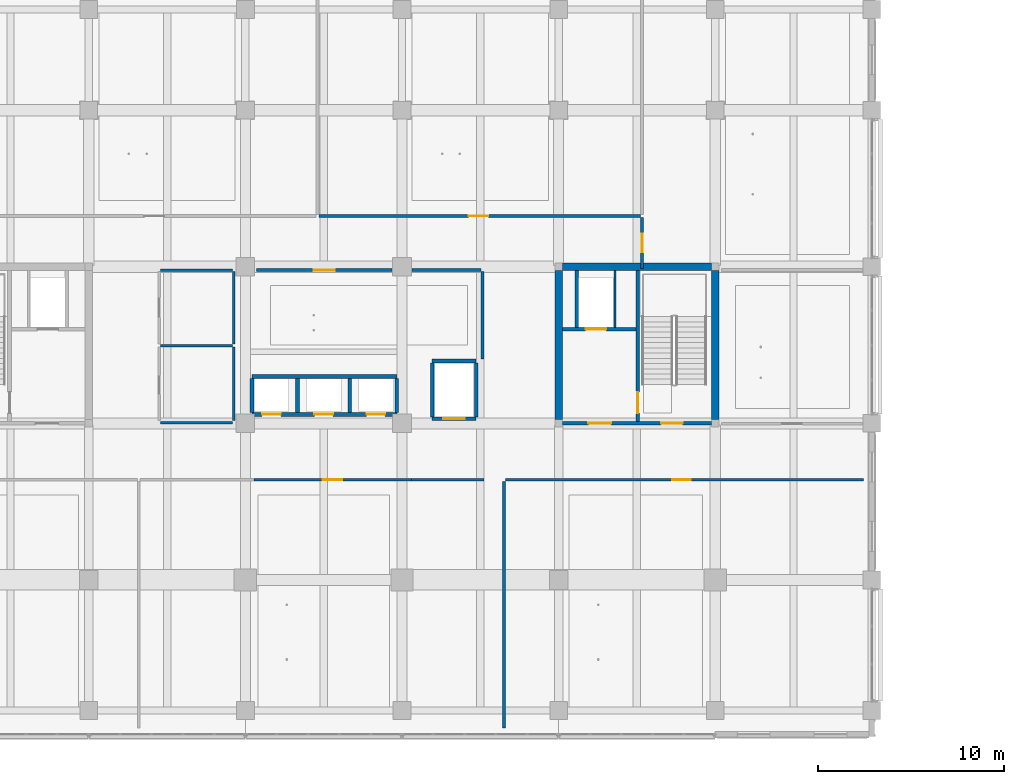
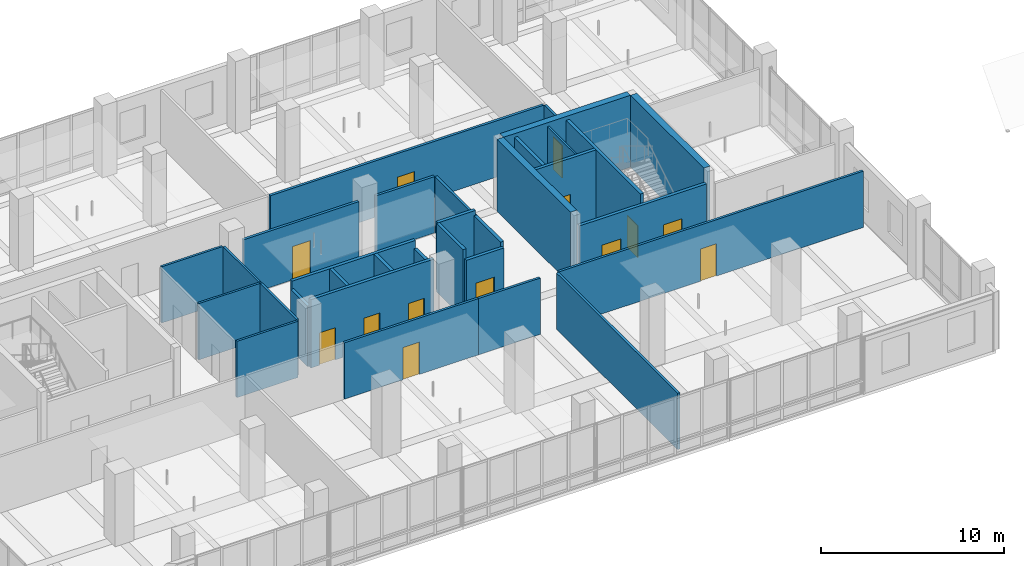
# One storey, part 56 of 122: 32 walls, 13 doors, 13 openings.
"""IFC4 building model written with IfcOpenShell, lengths in metres."""

from ifc_helpers import new_model, si_unit, direction, frame, frame_2d, origin, place, context, subcontext, project, spatial, rectangle, extrude, material, layer, layer_set, type_object, element, fill, save


model = new_model("IFC4")

# Units and contexts
model_context = context("Model", 3, precision=1e-05, world=origin(), true_north=direction((0.0, 1.0)))
body_context = subcontext(model_context, "Body", "Model", "MODEL_VIEW")
ifc_project = project(units=[si_unit("LENGTHUNIT", "METRE"), si_unit("AREAUNIT", "SQUARE_METRE"), si_unit("VOLUMEUNIT", "CUBIC_METRE"), si_unit("PLANEANGLEUNIT", "RADIAN"), si_unit("MASSUNIT", "GRAM", prefix="KILO")], contexts=[model_context])

# Site, building, storey
site_placement = place(None, origin())
site = spatial("IfcSite", under=ifc_project, at=site_placement, CompositionType="ELEMENT")
building_placement = place(site_placement, origin())
building = spatial("IfcBuilding", under=site, at=building_placement, Name="Telukmera Botanical Conservatory", CompositionType="ELEMENT")
storey_placement = place(building_placement, frame((0.0, 0.0, 10.199951171875)))
storey = spatial("IfcBuildingStorey", under=building, at=storey_placement, Name="L02", CompositionType="ELEMENT", Elevation=10.199951171875)

# Wall, openings, doors
ifc_material_1 = material(Name="Concrete C40/50", Category="concrete")
ifc_layer_1 = layer(ifc_material_1, 0.199951171875)
ifc_layer_set_1 = layer_set([ifc_layer_1], Name="Concrete C40/50")
wall_type_1 = type_object("IfcWallType", Name="WT-CORE-200", PredefinedType="SOLIDWALL", material=ifc_layer_set_1)
wall_1_placement = place(storey_placement, frame((92.60009765625, 26.0, 0.0), z_axis=(0.0, 0.0, 1.0), x_axis=(1.0, 0.0, 0.0)))
wall_1 = element("IfcWall", 1, at=wall_1_placement, inside=storey, type_object=wall_type_1, Name="L02 Core C2 South Fire Wall", PredefinedType="SOLIDWALL", context=body_context, shape_type="SweptSolid", body=[
    extrude(rectangle(XDim=8.0, YDim=0.199951171875, at=frame_2d((4.0, 0.0))), origin(), (0.0, 0.0, 1.0), 3.929931640625),
])
opening_1_placement = place(wall_1_placement, frame((1.39990234375, 0.0, 0.0)))
opening_1 = element("IfcOpeningElement", 2, at=opening_1_placement, cuts=wall_1, Name="Opening FD60C", PredefinedType="OPENING", context=body_context, shape_type="SweptSolid", body=[
    extrude(rectangle(XDim=1.219970703125, YDim=2.14990234375, at=frame_2d((0.60986328125, 1.074951171875))), frame((0.0, 0.10986328125, 0.0), z_axis=(0.0, -1.0, 0.0), x_axis=(1.0, 0.0, 0.0)), (0.0, 0.0, 1.0), 0.219970703125),
])
opening_2_placement = place(wall_1_placement, frame((5.300048828125, 0.0, 0.0)))
opening_2 = element("IfcOpeningElement", 3, at=opening_2_placement, cuts=wall_1, Name="Opening FD60A", PredefinedType="OPENING", context=body_context, shape_type="SweptSolid", body=[
    extrude(rectangle(XDim=1.14990234375, YDim=2.14990234375, at=frame_2d((0.574951171875, 1.074951171875))), frame((0.0, 0.10986328125, 0.0), z_axis=(0.0, -1.0, 0.0), x_axis=(1.0, 0.0, 0.0)), (0.0, 0.0, 1.0), 0.219970703125),
])
ifc_material_2 = material(Name="Hardwood fire door", Category="wood")
door_type_1 = type_object("IfcDoorType", Name="DT-FD60-01", OperationType="NOTDEFINED", PredefinedType="DOOR", material=ifc_material_2)
door_1_placement = place(opening_2_placement, origin())
door_1 = element("IfcDoor", 4, at=door_1_placement, inside=storey, type_object=door_type_1, Name="L02 Stair ST2 Escape Door", OperationType="SINGLE_SWING_RIGHT", OverallHeight=2.14990234375, OverallWidth=1.14990234375, PredefinedType="DOOR", context=body_context, shape_type="SweptSolid", body=[
    extrude(rectangle(XDim=1.14990234375, YDim=2.14990234375, at=frame_2d((0.574951171875, 1.074951171875))), frame((0.0, 0.02490234375, 0.0), z_axis=(0.0, -1.0, 0.0), x_axis=(1.0, 0.0, 0.0)), (0.0, 0.0, 1.0), 0.050048828125),
])
fill(opening_2, door_1)
door_type_2 = type_object("IfcDoorType", Name="DT-FD60-03", OperationType="NOTDEFINED", PredefinedType="DOOR", material=ifc_material_2)
door_2_placement = place(opening_1_placement, origin())
door_2 = element("IfcDoor", 5, at=door_2_placement, inside=storey, type_object=door_type_2, Name="L02 Firefighting Lobby C2 Door", OperationType="SINGLE_SWING_LEFT", OverallHeight=2.14990234375, OverallWidth=1.219970703125, PredefinedType="DOOR", context=body_context, shape_type="SweptSolid", body=[
    extrude(rectangle(XDim=1.219970703125, YDim=2.14990234375, at=frame_2d((0.60986328125, 1.074951171875))), frame((0.0, 0.02490234375, 0.0), z_axis=(0.0, -1.0, 0.0), x_axis=(1.0, 0.0, 0.0)), (0.0, 0.0, 1.0), 0.050048828125),
])
fill(opening_1, door_2)

# Wall, opening, door
wall_2_placement = place(storey_placement, frame((96.64990234375, 26.10009765625, 0.0), z_axis=(0.0, 0.0, 1.0), x_axis=(0.0, 1.0, 0.0)))
wall_2 = element("IfcWall", 6, at=wall_2_placement, inside=storey, type_object=wall_type_1, Name="L02 Core C2 Stair-Lobby Wall", PredefinedType="SOLIDWALL", context=body_context, shape_type="SweptSolid", body=[
    extrude(rectangle(XDim=8.099853515625, YDim=0.199951171875, at=frame_2d((4.0498046875, 0.0))), origin(), (0.0, 0.0, 1.0), 4.550048828125),
])
opening_3_placement = place(wall_2_placement, frame((0.449951171875, 0.0, 0.0)))
opening_3 = element("IfcOpeningElement", 7, at=opening_3_placement, cuts=wall_2, Name="Opening FD60B", PredefinedType="OPENING", context=body_context, shape_type="SweptSolid", body=[
    extrude(rectangle(XDim=1.1201171875, YDim=2.14990234375, at=frame_2d((0.56005859375, 1.074951171875))), frame((0.0, 0.10986328125, 0.0), z_axis=(0.0, -1.0, 0.0), x_axis=(1.0, 0.0, 0.0)), (0.0, 0.0, 1.0), 0.219970703125),
])
door_type_3 = type_object("IfcDoorType", Name="DT-FD60-02", OperationType="NOTDEFINED", PredefinedType="DOOR", material=ifc_material_2)
door_3_placement = place(opening_3_placement, frame((1.1201171875, 0.0, 0.0), z_axis=(0.0, 0.0, 1.0), x_axis=(-1.0, 0.0, 0.0)))
door_3 = element("IfcDoor", 8, at=door_3_placement, inside=storey, type_object=door_type_3, Name="L02 Firefighting Lobby C2 to ST2 Door", OperationType="SINGLE_SWING_LEFT", OverallHeight=2.14990234375, OverallWidth=1.1201171875, PredefinedType="DOOR", context=body_context, shape_type="SweptSolid", body=[
    extrude(rectangle(XDim=1.1201171875, YDim=2.14990234375, at=frame_2d((0.56005859375, 1.074951171875))), frame((0.0, 0.02490234375, 0.0), z_axis=(0.0, -1.0, 0.0), x_axis=(1.0, 0.0, 0.0)), (0.0, 0.0, 1.0), 0.050048828125),
])
fill(opening_3, door_3)

wall_3_placement = place(storey_placement, frame((92.60009765625, 31.050048828125, 0.0), z_axis=(0.0, 0.0, 1.0), x_axis=(1.0, 0.0, 0.0)))
wall_3 = element("IfcWall", 9, at=wall_3_placement, inside=storey, type_object=wall_type_1, Name="L02 Fire Lift FL2 Shaft Front Wall", PredefinedType="SOLIDWALL", context=body_context, shape_type="SweptSolid", body=[
    extrude(rectangle(XDim=3.949951171875, YDim=0.199951171875, at=frame_2d((1.97509765625, 0.0))), origin(), (0.0, 0.0, 1.0), 4.550048828125),
])
opening_4_placement = place(wall_3_placement, frame((1.25, 0.0, 0.0)))
opening_4 = element("IfcOpeningElement", 10, at=opening_4_placement, cuts=wall_3, Name="Opening LD01", PredefinedType="OPENING", context=body_context, shape_type="SweptSolid", body=[
    extrude(rectangle(XDim=1.10009765625, YDim=2.14990234375, at=frame_2d((0.550048828125, 1.074951171875))), frame((0.0, 0.10986328125, 0.0), z_axis=(0.0, -1.0, 0.0), x_axis=(1.0, 0.0, 0.0)), (0.0, 0.0, 1.0), 0.219970703125),
])
ifc_material_3 = material(Name="Stainless steel 316", Category="steel")
door_type_4 = type_object("IfcDoorType", Name="DT-LD01", OperationType="SLIDING_TO_LEFT", PredefinedType="DOOR", material=ifc_material_3)
door_4_placement = place(opening_4_placement, frame((1.10009765625, 0.0, 0.0), z_axis=(0.0, 0.0, 1.0), x_axis=(-1.0, 0.0, 0.0)))
door_4 = element("IfcDoor", 11, at=door_4_placement, inside=storey, type_object=door_type_4, Name="L02 Lift Landing Door FL2", OperationType="SLIDING_TO_LEFT", OverallHeight=2.14990234375, OverallWidth=1.10009765625, PredefinedType="DOOR", context=body_context, shape_type="SweptSolid", body=[
    extrude(rectangle(XDim=1.10009765625, YDim=2.14990234375, at=frame_2d((0.550048828125, 1.074951171875))), frame((0.0, 0.02490234375, 0.0), z_axis=(0.0, -1.0, 0.0), x_axis=(1.0, 0.0, 0.0)), (0.0, 0.0, 1.0), 0.050048828125),
])
fill(opening_4, door_4)

# Wall
wall_4_placement = place(storey_placement, frame((93.3798828125, 31.14990234375, 0.0), z_axis=(0.0, 0.0, 1.0), x_axis=(0.0, 1.0, 0.0)))
element("IfcWall", 12, at=wall_4_placement, inside=storey, type_object=wall_type_1, Name="L02 Fire Lift FL2 Shaft West Wall", PredefinedType="SOLIDWALL", context=body_context, shape_type="SweptSolid", body=[
    extrude(rectangle(XDim=3.050048828125, YDim=0.199951171875, at=frame_2d((1.52490234375, 0.0))), origin(), (0.0, 0.0, 1.0), 4.550048828125),
])

# Wall, openings, doors
wall_5_placement = place(storey_placement, frame((75.949951171875, 26.47998046875, 0.0), z_axis=(0.0, 0.0, 1.0), x_axis=(1.0, 0.0, 0.0)))
wall_5 = element("IfcWall", 13, at=wall_5_placement, inside=storey, type_object=wall_type_1, Name="L02 Passenger Lift Bank Front Wall", PredefinedType="SOLIDWALL", context=body_context, shape_type="SweptSolid", body=[
    extrude(rectangle(XDim=7.77001953125, YDim=0.199951171875, at=frame_2d((3.885009765625, 0.0))), origin(), (0.0, 0.0, 1.0), 4.550048828125),
])
opening_5_placement = place(wall_5_placement, frame((0.550048828125, 0.0, 0.0)))
opening_5 = element("IfcOpeningElement", 14, at=opening_5_placement, cuts=wall_5, Name="Opening LD03", PredefinedType="OPENING", context=body_context, shape_type="SweptSolid", body=[
    extrude(rectangle(XDim=1.0, YDim=2.14990234375, at=frame_2d((0.5, 1.074951171875))), frame((0.0, 0.10986328125, 0.0), z_axis=(0.0, -1.0, 0.0), x_axis=(1.0, 0.0, 0.0)), (0.0, 0.0, 1.0), 0.219970703125),
])
opening_6_placement = place(wall_5_placement, frame((3.35009765625, 0.0, 0.0)))
opening_6 = element("IfcOpeningElement", 15, at=opening_6_placement, cuts=wall_5, Name="Opening LD03", PredefinedType="OPENING", context=body_context, shape_type="SweptSolid", body=[
    extrude(rectangle(XDim=1.0, YDim=2.14990234375, at=frame_2d((0.5, 1.074951171875))), frame((0.0, 0.10986328125, 0.0), z_axis=(0.0, -1.0, 0.0), x_axis=(1.0, 0.0, 0.0)), (0.0, 0.0, 1.0), 0.219970703125),
])
opening_7_placement = place(wall_5_placement, frame((6.14990234375, 0.0, 0.0)))
opening_7 = element("IfcOpeningElement", 16, at=opening_7_placement, cuts=wall_5, Name="Opening LD03", PredefinedType="OPENING", context=body_context, shape_type="SweptSolid", body=[
    extrude(rectangle(XDim=1.0, YDim=2.14990234375, at=frame_2d((0.5, 1.074951171875))), frame((0.0, 0.10986328125, 0.0), z_axis=(0.0, -1.0, 0.0), x_axis=(1.0, 0.0, 0.0)), (0.0, 0.0, 1.0), 0.219970703125),
])
door_type_5 = type_object("IfcDoorType", Name="DT-LD03", OperationType="SLIDING_TO_LEFT", PredefinedType="DOOR", material=ifc_material_3)
door_5_placement = place(opening_5_placement, frame((1.0, 0.0, 0.0), z_axis=(0.0, 0.0, 1.0), x_axis=(-1.0, 0.0, 0.0)))
door_5 = element("IfcDoor", 17, at=door_5_placement, inside=storey, type_object=door_type_5, Name="L02 Lift Landing Door PL1", OperationType="SLIDING_TO_LEFT", OverallHeight=2.14990234375, OverallWidth=1.0, PredefinedType="DOOR", context=body_context, shape_type="SweptSolid", body=[
    extrude(rectangle(XDim=1.0, YDim=2.14990234375, at=frame_2d((0.5, 1.074951171875))), frame((0.0, 0.02490234375, 0.0), z_axis=(0.0, -1.0, 0.0), x_axis=(1.0, 0.0, 0.0)), (0.0, 0.0, 1.0), 0.050048828125),
])
fill(opening_5, door_5)
door_6_placement = place(opening_6_placement, frame((1.0, 0.0, 0.0), z_axis=(0.0, 0.0, 1.0), x_axis=(-1.0, 0.0, 0.0)))
door_6 = element("IfcDoor", 18, at=door_6_placement, inside=storey, type_object=door_type_5, Name="L02 Lift Landing Door PL2", OperationType="SLIDING_TO_LEFT", OverallHeight=2.14990234375, OverallWidth=1.0, PredefinedType="DOOR", context=body_context, shape_type="SweptSolid", body=[
    extrude(rectangle(XDim=1.0, YDim=2.14990234375, at=frame_2d((0.5, 1.074951171875))), frame((0.0, 0.02490234375, 0.0), z_axis=(0.0, -1.0, 0.0), x_axis=(1.0, 0.0, 0.0)), (0.0, 0.0, 1.0), 0.050048828125),
])
fill(opening_6, door_6)
door_7_placement = place(opening_7_placement, frame((1.0, 0.0, 0.0), z_axis=(0.0, 0.0, 1.0), x_axis=(-1.0, 0.0, 0.0)))
door_7 = element("IfcDoor", 19, at=door_7_placement, inside=storey, type_object=door_type_5, Name="L02 Lift Landing Door PL3", OperationType="SLIDING_TO_LEFT", OverallHeight=2.14990234375, OverallWidth=1.0, PredefinedType="DOOR", context=body_context, shape_type="SweptSolid", body=[
    extrude(rectangle(XDim=1.0, YDim=2.14990234375, at=frame_2d((0.5, 1.074951171875))), frame((0.0, 0.02490234375, 0.0), z_axis=(0.0, -1.0, 0.0), x_axis=(1.0, 0.0, 0.0)), (0.0, 0.0, 1.0), 0.050048828125),
])
fill(opening_7, door_7)

# Walls
wall_6_placement = place(storey_placement, frame((75.949951171875, 28.52001953125, 0.0), z_axis=(0.0, 0.0, 1.0), x_axis=(1.0, 0.0, 0.0)))
element("IfcWall", 20, at=wall_6_placement, inside=storey, type_object=wall_type_1, Name="L02 Passenger Lift Bank Rear Wall", PredefinedType="SOLIDWALL", context=body_context, shape_type="SweptSolid", body=[
    extrude(rectangle(XDim=7.77001953125, YDim=0.199951171875, at=frame_2d((3.885009765625, 0.0))), origin(), (0.0, 0.0, 1.0), 4.550048828125),
])
wall_7_placement = place(storey_placement, frame((75.949951171875, 26.580078125, 0.0), z_axis=(0.0, 0.0, 1.0), x_axis=(0.0, 1.0, 0.0)))
element("IfcWall", 21, at=wall_7_placement, inside=storey, type_object=wall_type_1, Name="L02 Passenger Lift Shaft Wall 1", PredefinedType="SOLIDWALL", context=body_context, shape_type="SweptSolid", body=[
    extrude(rectangle(XDim=1.83984375, YDim=0.199951171875, at=frame_2d((0.919921875, 0.0))), origin(), (0.0, 0.0, 1.0), 4.030029296875),
])
for number, where, z_axis, x_axis, name in (
    (22, (78.39990234375, 26.580078125, 0.0), (0.0, 0.0, 1.0), (0.0, 1.0, 0.0), "L02 Passenger Lift Shaft Wall 2"),
    (23, (81.199951171875, 26.580078125, 0.0), (0.0, 0.0, 1.0), (0.0, 1.0, 0.0), "L02 Passenger Lift Shaft Wall 3"),
):
    element("IfcWall", number, at=place(storey_placement, frame(where, z_axis=z_axis, x_axis=x_axis)), inside=storey, type_object=wall_type_1, Name=name, PredefinedType="SOLIDWALL", context=body_context, shape_type="SweptSolid", body=[
        extrude(rectangle(XDim=1.83984375, YDim=0.199951171875, at=frame_2d((0.919921875, 0.0))), origin(), (0.0, 0.0, 1.0), 4.550048828125),
    ])
wall_8_placement = place(storey_placement, frame((83.719970703125, 26.580078125, 0.0), z_axis=(0.0, 0.0, 1.0), x_axis=(0.0, 1.0, 0.0)))
element("IfcWall", 24, at=wall_8_placement, inside=storey, type_object=wall_type_1, Name="L02 Passenger Lift Shaft Wall 4", PredefinedType="SOLIDWALL", context=body_context, shape_type="SweptSolid", body=[
    extrude(rectangle(XDim=1.83984375, YDim=0.199951171875, at=frame_2d((0.919921875, 0.0))), origin(), (0.0, 0.0, 1.0), 4.030029296875),
])

# Wall, opening, door
wall_9_placement = place(storey_placement, frame((85.6201171875, 26.25, 0.0), z_axis=(0.0, 0.0, 1.0), x_axis=(1.0, 0.0, 0.0)))
wall_9 = element("IfcWall", 25, at=wall_9_placement, inside=storey, type_object=wall_type_1, Name="L02 Goods Lift GL1 Front Wall", PredefinedType="SOLIDWALL", context=body_context, shape_type="SweptSolid", body=[
    extrude(rectangle(XDim=2.35986328125, YDim=0.199951171875, at=frame_2d((1.179931640625, 0.0))), origin(), (0.0, 0.0, 1.0), 3.929931640625),
])
opening_8_placement = place(wall_9_placement, frame((0.60498046875, 0.0, 0.0)))
opening_8 = element("IfcOpeningElement", 26, at=opening_8_placement, cuts=wall_9, Name="Opening LD02", PredefinedType="OPENING", context=body_context, shape_type="SweptSolid", body=[
    extrude(rectangle(XDim=1.14990234375, YDim=2.199951171875, at=frame_2d((0.574951171875, 1.10009765625))), frame((0.0, 0.10986328125, 0.0), z_axis=(0.0, -1.0, 0.0), x_axis=(1.0, 0.0, 0.0)), (0.0, 0.0, 1.0), 0.219970703125),
])
door_type_6 = type_object("IfcDoorType", Name="DT-LD02", OperationType="SLIDING_TO_LEFT", PredefinedType="DOOR", material=ifc_material_3)
door_8_placement = place(opening_8_placement, frame((1.14990234375, 0.0, 0.0), z_axis=(0.0, 0.0, 1.0), x_axis=(-1.0, 0.0, 0.0)))
door_8 = element("IfcDoor", 27, at=door_8_placement, inside=storey, type_object=door_type_6, Name="L02 Lift Landing Door GL1", OperationType="SLIDING_TO_LEFT", OverallHeight=2.199951171875, OverallWidth=1.14990234375, PredefinedType="DOOR", context=body_context, shape_type="SweptSolid", body=[
    extrude(rectangle(XDim=1.14990234375, YDim=2.199951171875, at=frame_2d((0.574951171875, 1.10009765625))), frame((0.0, 0.02490234375, 0.0), z_axis=(0.0, -1.0, 0.0), x_axis=(1.0, 0.0, 0.0)), (0.0, 0.0, 1.0), 0.050048828125),
])
fill(opening_8, door_8)

# Walls
wall_10_placement = place(storey_placement, frame((85.6201171875, 29.35009765625, 0.0), z_axis=(0.0, 0.0, 1.0), x_axis=(1.0, 0.0, 0.0)))
element("IfcWall", 28, at=wall_10_placement, inside=storey, type_object=wall_type_1, Name="L02 Goods Lift GL1 Rear Wall", PredefinedType="SOLIDWALL", context=body_context, shape_type="SweptSolid", body=[
    extrude(rectangle(XDim=2.35986328125, YDim=0.199951171875, at=frame_2d((1.179931640625, 0.0))), origin(), (0.0, 0.0, 1.0), 4.550048828125),
])
wall_11_placement = place(storey_placement, frame((85.6201171875, 26.35009765625, 0.0), z_axis=(0.0, 0.0, 1.0), x_axis=(0.0, 1.0, 0.0)))
element("IfcWall", 29, at=wall_11_placement, inside=storey, type_object=wall_type_1, Name="L02 Goods Lift GL1 Side Wall 1", PredefinedType="SOLIDWALL", context=body_context, shape_type="SweptSolid", body=[
    extrude(rectangle(XDim=2.89990234375, YDim=0.199951171875, at=frame_2d((1.449951171875, 0.0))), origin(), (0.0, 0.0, 1.0), 4.550048828125),
])
wall_12_placement = place(storey_placement, frame((87.97998046875, 26.35009765625, 0.0), z_axis=(0.0, 0.0, 1.0), x_axis=(0.0, 1.0, 0.0)))
element("IfcWall", 30, at=wall_12_placement, inside=storey, type_object=wall_type_1, Name="L02 Goods Lift GL1 Side Wall 2", PredefinedType="SOLIDWALL", context=body_context, shape_type="SweptSolid", body=[
    extrude(rectangle(XDim=2.89990234375, YDim=0.199951171875, at=frame_2d((1.449951171875, 0.0))), origin(), (0.0, 0.0, 1.0), 4.22998046875),
])
ifc_material_4 = material(Name="Gypsum acoustic stud partition")
ifc_layer_2 = layer(ifc_material_4, 0.159912109375)
ifc_layer_set_2 = layer_set([ifc_layer_2], Name="Gypsum acoustic stud partition")
wall_type_2 = type_object("IfcWallType", Name="WT-LAB-160", PredefinedType="PARTITIONING", material=ifc_layer_set_2)
wall_13_placement = place(storey_placement, frame((88.324951171875, 29.449951171875, 0.0), z_axis=(0.0, 0.0, 1.0), x_axis=(0.0, 1.0, 0.0)))
element("IfcWall", 31, at=wall_13_placement, inside=storey, type_object=wall_type_2, Name="L02 Interior Partition 26", PredefinedType="PARTITIONING", context=body_context, shape_type="SweptSolid", body=[
    extrude(rectangle(XDim=4.699951171875, YDim=0.159912109375, at=frame_2d((2.35009765625, 0.0))), origin(), (0.0, 0.0, 1.0), 3.75),
])

# Wall, opening, door
wall_14_placement = place(storey_placement, frame((76.199951171875, 34.22509765625, 0.0), z_axis=(0.0, 0.0, 1.0), x_axis=(1.0, 0.0, 0.0)))
wall_14 = element("IfcWall", 32, at=wall_14_placement, inside=storey, type_object=wall_type_2, Name="L02 Interior Partition 27", PredefinedType="PARTITIONING", context=body_context, shape_type="SweptSolid", body=[
    extrude(rectangle(XDim=7.27001953125, YDim=0.159912109375, at=frame_2d((3.635009765625, 0.0))), origin(), (0.0, 0.0, 1.0), 3.75),
])
opening_9_placement = place(wall_14_placement, frame((3.06494140625, 0.0, 0.0)))
opening_9 = element("IfcOpeningElement", 33, at=opening_9_placement, cuts=wall_14, Name="Opening ID10", PredefinedType="OPENING", context=body_context, shape_type="SweptSolid", body=[
    extrude(rectangle(XDim=1.139892578125, YDim=2.219970703125, at=frame_2d((0.56982421875, 1.10986328125))), frame((0.0, 0.08984375, 0.0), z_axis=(0.0, -1.0, 0.0), x_axis=(1.0, 0.0, 0.0)), (0.0, 0.0, 1.0), 0.179931640625),
])
ifc_material_5 = material(Name="Sealed steel herbarium door", Category="steel")
door_type_7 = type_object("IfcDoorType", Name="DT-HERB-114", OperationType="NOTDEFINED", PredefinedType="DOOR", material=ifc_material_5)
door_9_placement = place(opening_9_placement, frame((1.139892578125, 0.0, 0.0), z_axis=(0.0, 0.0, 1.0), x_axis=(-1.0, 0.0, 0.0)))
door_9 = element("IfcDoor", 34, at=door_9_placement, inside=storey, type_object=door_type_7, Name="L02 Botanical Voucher Preparation Studio Door", OperationType="SINGLE_SWING_LEFT", OverallHeight=2.219970703125, OverallWidth=1.139892578125, PredefinedType="DOOR", context=body_context, shape_type="SweptSolid", body=[
    extrude(rectangle(XDim=1.139892578125, YDim=2.219970703125, at=frame_2d((0.56982421875, 1.10986328125))), frame((0.0, 0.02490234375, 0.0), z_axis=(0.0, -1.0, 0.0), x_axis=(1.0, 0.0, 0.0)), (0.0, 0.0, 1.0), 0.050048828125),
])
fill(opening_9, door_9)

# Wall
wall_15_placement = place(storey_placement, frame((84.530029296875, 34.22509765625, 0.0), z_axis=(0.0, 0.0, 1.0), x_axis=(1.0, 0.0, 0.0)))
element("IfcWall", 35, at=wall_15_placement, inside=storey, type_object=wall_type_2, Name="L02 Interior Partition 28", PredefinedType="PARTITIONING", context=body_context, shape_type="SweptSolid", body=[
    extrude(rectangle(XDim=3.705078125, YDim=0.159912109375, at=frame_2d((1.8525390625, 0.0))), origin(), (0.0, 0.0, 1.0), 3.75),
])

# Wall, opening, door
wall_16_placement = place(storey_placement, frame((79.550048828125, 37.125, 0.0), z_axis=(0.0, 0.0, 1.0), x_axis=(1.0, 0.0, 0.0)))
wall_16 = element("IfcWall", 36, at=wall_16_placement, inside=storey, type_object=wall_type_2, Name="L02 Interior Partition 42", PredefinedType="PARTITIONING", context=body_context, shape_type="SweptSolid", body=[
    extrude(rectangle(XDim=17.25, YDim=0.159912109375, at=frame_2d((8.625, 0.0))), origin(), (0.0, 0.0, 1.0), 3.75),
])
opening_10_placement = place(wall_16_placement, frame((8.020263671875, 0.0, 0.0)))
opening_10 = element("IfcOpeningElement", 37, at=opening_10_placement, cuts=wall_16, Name="Opening ID12", PredefinedType="OPENING", context=body_context, shape_type="SweptSolid", body=[
    extrude(rectangle(XDim=1.06005859375, YDim=2.179931640625, at=frame_2d((0.530029296875, 1.08984375))), frame((0.0, 0.08984375, 0.0), z_axis=(0.0, -1.0, 0.0), x_axis=(1.0, 0.0, 0.0)), (0.0, 0.0, 1.0), 0.179931640625),
])
ifc_material_6 = material(Name="Light-tight microscopy door")
door_type_8 = type_object("IfcDoorType", Name="DT-MIC-106", OperationType="NOTDEFINED", PredefinedType="DOOR", material=ifc_material_6)
door_10_placement = place(opening_10_placement, origin())
door_10 = element("IfcDoor", 38, at=door_10_placement, inside=storey, type_object=door_type_8, Name="L02 Bioinformatics Laboratory Door", OperationType="SINGLE_SWING_LEFT", OverallHeight=2.179931640625, OverallWidth=1.06005859375, PredefinedType="DOOR", context=body_context, shape_type="SweptSolid", body=[
    extrude(rectangle(XDim=1.06005859375, YDim=2.179931640625, at=frame_2d((0.530029296875, 1.08984375))), frame((0.0, 0.02490234375, 0.0), z_axis=(0.0, -1.0, 0.0), x_axis=(1.0, 0.0, 0.0)), (0.0, 0.0, 1.0), 0.050048828125),
])
fill(opening_10, door_10)

# Wall
ifc_material_7 = material(Name="Gypsum shaftwall liner")
ifc_layer_3 = layer(ifc_material_7, 0.110107421875)
ifc_layer_set_3 = layer_set([ifc_layer_3], Name="Gypsum shaftwall liner")
wall_type_3 = type_object("IfcWallType", Name="WT-RISER-110", PredefinedType="PARTITIONING", material=ifc_layer_set_3)
wall_17_placement = place(storey_placement, frame((95.419921875, 31.14990234375, 0.0), z_axis=(0.0, 0.0, 1.0), x_axis=(0.0, 1.0, 0.0)))
element("IfcWall", 39, at=wall_17_placement, inside=storey, type_object=wall_type_3, Name="L02 Wet Riser C2 Shaft Wall", PredefinedType="PARTITIONING", context=body_context, shape_type="SweptSolid", body=[
    extrude(rectangle(XDim=3.050048828125, YDim=0.110107421875, at=frame_2d((1.52490234375, 0.0))), origin(), (0.0, 0.0, 1.0), 4.550048828125),
])

# Wall, opening, door
ifc_layer_4 = layer(ifc_material_4, 0.14990234375)
ifc_layer_set_4 = layer_set([ifc_layer_4], Name="Gypsum acoustic stud partition")
wall_type_4 = type_object("IfcWallType", Name="WT-STD-150", PredefinedType="PARTITIONING", material=ifc_layer_set_4)
wall_18_placement = place(storey_placement, frame((76.050048828125, 22.97509765625, 0.0), z_axis=(0.0, 0.0, 1.0), x_axis=(1.0, 0.0, 0.0)))
wall_18 = element("IfcWall", 40, at=wall_18_placement, inside=storey, type_object=wall_type_4, Name="L02 Interior Partition 33", PredefinedType="PARTITIONING", context=body_context, shape_type="SweptSolid", body=[
    extrude(rectangle(XDim=8.449951171875, YDim=0.14990234375, at=frame_2d((4.22509765625, 0.0))), origin(), (0.0, 0.0, 1.0), 3.75),
])
opening_11_placement = place(wall_18_placement, frame((3.705078125, 0.0, 0.0)))
opening_11 = element("IfcOpeningElement", 41, at=opening_11_placement, cuts=wall_18, Name="Opening ID13", PredefinedType="OPENING", context=body_context, shape_type="SweptSolid", body=[
    extrude(rectangle(XDim=1.0400390625, YDim=2.14990234375, at=frame_2d((0.52001953125, 1.074951171875))), frame((0.0, 0.0849609375, 0.0), z_axis=(0.0, -1.0, 0.0), x_axis=(1.0, 0.0, 0.0)), (0.0, 0.0, 1.0), 0.169921875),
])
ifc_material_8 = material(Name="Hardwood curation studio door", Category="wood")
door_type_9 = type_object("IfcDoorType", Name="DT-CUR-104", OperationType="NOTDEFINED", PredefinedType="DOOR", material=ifc_material_8)
door_11_placement = place(opening_11_placement, frame((1.0400390625, 0.0, 0.0), z_axis=(0.0, 0.0, 1.0), x_axis=(-1.0, 0.0, 0.0)))
door_11 = element("IfcDoor", 42, at=door_11_placement, inside=storey, type_object=door_type_9, Name="L02 Herbarium Digitization Studio Door", OperationType="SINGLE_SWING_LEFT", OverallHeight=2.14990234375, OverallWidth=1.0400390625, PredefinedType="DOOR", context=body_context, shape_type="SweptSolid", body=[
    extrude(rectangle(XDim=1.0400390625, YDim=2.14990234375, at=frame_2d((0.52001953125, 1.074951171875))), frame((0.0, 0.02490234375, 0.0), z_axis=(0.0, -1.0, 0.0), x_axis=(1.0, 0.0, 0.0)), (0.0, 0.0, 1.0), 0.050048828125),
])
fill(opening_11, door_11)

# Wall
wall_19_placement = place(storey_placement, frame((84.510009765625, 22.97509765625, 0.0), z_axis=(0.0, 0.0, 1.0), x_axis=(1.0, 0.0, 0.0)))
element("IfcWall", 43, at=wall_19_placement, inside=storey, type_object=wall_type_4, Name="L02 Interior Partition 34", PredefinedType="PARTITIONING", context=body_context, shape_type="SweptSolid", body=[
    extrude(rectangle(XDim=3.889892578125, YDim=0.14990234375, at=frame_2d((1.94482421875, 0.0))), origin(), (0.0, 0.0, 1.0), 3.75),
])

# Wall, opening, door
wall_20_placement = place(storey_placement, frame((89.550048828125, 22.97509765625, 0.0), z_axis=(0.0, 0.0, 1.0), x_axis=(1.0, 0.0, 0.0)))
wall_20 = element("IfcWall", 44, at=wall_20_placement, inside=storey, type_object=wall_type_4, Name="L02 Interior Partition 37", PredefinedType="PARTITIONING", context=body_context, shape_type="SweptSolid", body=[
    extrude(rectangle(XDim=19.199951171875, YDim=0.14990234375, at=frame_2d((9.60009765625, 0.0))), origin(), (0.0, 0.0, 1.0), 3.75),
])
opening_12_placement = place(wall_20_placement, frame((8.949951171875, 0.0, 0.0)))
opening_12 = element("IfcOpeningElement", 45, at=opening_12_placement, cuts=wall_20, Name="Opening ID14", PredefinedType="OPENING", context=body_context, shape_type="SweptSolid", body=[
    extrude(rectangle(XDim=1.0, YDim=2.14990234375, at=frame_2d((0.5, 1.074951171875))), frame((0.0, 0.0849609375, 0.0), z_axis=(0.0, -1.0, 0.0), x_axis=(1.0, 0.0, 0.0)), (0.0, 0.0, 1.0), 0.169921875),
])
ifc_material_9 = material(Name="Acoustic timber office door", Category="wood")
door_type_10 = type_object("IfcDoorType", Name="DT-WRT-100", OperationType="NOTDEFINED", PredefinedType="DOOR", material=ifc_material_9)
door_12_placement = place(opening_12_placement, frame((1.0, 0.0, 0.0), z_axis=(0.0, 0.0, 1.0), x_axis=(-1.0, 0.0, 0.0)))
door_12 = element("IfcDoor", 46, at=door_12_placement, inside=storey, type_object=door_type_10, Name="L02 Specimen Mounting Studio Door", OperationType="SINGLE_SWING_RIGHT", OverallHeight=2.14990234375, OverallWidth=1.0, PredefinedType="DOOR", context=body_context, shape_type="SweptSolid", body=[
    extrude(rectangle(XDim=1.0, YDim=2.14990234375, at=frame_2d((0.5, 1.074951171875))), frame((0.0, 0.02490234375, 0.0), z_axis=(0.0, -1.0, 0.0), x_axis=(1.0, 0.0, 0.0)), (0.0, 0.0, 1.0), 0.050048828125),
])
fill(opening_12, door_12)

# Wall
wall_21_placement = place(storey_placement, frame((89.47509765625, 9.64990234375, 0.0), z_axis=(0.0, 0.0, 1.0), x_axis=(0.0, 1.0, 0.0)))
element("IfcWall", 47, at=wall_21_placement, inside=storey, type_object=wall_type_4, Name="L02 Interior Partition 39", PredefinedType="PARTITIONING", context=body_context, shape_type="SweptSolid", body=[
    extrude(rectangle(XDim=13.239990234375, YDim=0.14990234375, at=frame_2d((6.6201171875, 0.0))), origin(), (0.0, 0.0, 1.0), 3.75),
])

# Wall, opening, door
wall_22_placement = place(storey_placement, frame((96.875, 34.300048828125, 0.0), z_axis=(0.0, 0.0, 1.0), x_axis=(0.0, 1.0, 0.0)))
wall_22 = element("IfcWall", 48, at=wall_22_placement, inside=storey, type_object=wall_type_4, Name="L02 Interior Partition 43", PredefinedType="PARTITIONING", context=body_context, shape_type="SweptSolid", body=[
    extrude(rectangle(XDim=2.73486328125, YDim=0.14990234375, at=frame_2d((1.367431640625, 0.0))), origin(), (0.0, 0.0, 1.0), 3.75),
])
opening_13_placement = place(wall_22_placement, frame((0.867431640625, 0.0, 0.0)))
opening_13 = element("IfcOpeningElement", 49, at=opening_13_placement, cuts=wall_22, Name="Opening ID14", PredefinedType="OPENING", context=body_context, shape_type="SweptSolid", body=[
    extrude(rectangle(XDim=1.0, YDim=2.14990234375, at=frame_2d((0.5, 1.074951171875))), frame((0.0, 0.0849609375, 0.0), z_axis=(0.0, -1.0, 0.0), x_axis=(1.0, 0.0, 0.0)), (0.0, 0.0, 1.0), 0.169921875),
])
door_13_placement = place(opening_13_placement, frame((1.0, 0.0, 0.0), z_axis=(0.0, 0.0, 1.0), x_axis=(-1.0, 0.0, 0.0)))
door_13 = element("IfcDoor", 50, at=door_13_placement, inside=storey, type_object=door_type_10, Name="L02 Visiting Botanist Write-Up Studio Door", OperationType="SINGLE_SWING_RIGHT", OverallHeight=2.14990234375, OverallWidth=1.0, PredefinedType="DOOR", context=body_context, shape_type="SweptSolid", body=[
    extrude(rectangle(XDim=1.0, YDim=2.14990234375, at=frame_2d((0.5, 1.074951171875))), frame((0.0, 0.02490234375, 0.0), z_axis=(0.0, -1.0, 0.0), x_axis=(1.0, 0.0, 0.0)), (0.0, 0.0, 1.0), 0.050048828125),
])
fill(opening_13, door_13)

# Walls
ifc_material_10 = material(Name="Moisture-resistant blockwork", Category="masonry")
ifc_layer_5 = layer(ifc_material_10, 0.135009765625)
ifc_layer_set_5 = layer_set([ifc_layer_5], Name="Moisture-resistant blockwork")
wall_type_5 = type_object("IfcWallType", Name="WT-WC-135", PredefinedType="PARTITIONING", material=ifc_layer_set_5)
for number, where, z_axis, x_axis, name in (
    (51, (71.050048828125, 30.175048828125, 0.0), (0.0, 0.0, 1.0), (1.0, 0.0, 0.0), "L02 Interior Partition 23"),
    (52, (71.050048828125, 26.02490234375, 0.0), (0.0, 0.0, 1.0), (1.0, 0.0, 0.0), "L02 Interior Partition 24"),
    (53, (71.050048828125, 34.22509765625, 0.0), (0.0, 0.0, 1.0), (1.0, 0.0, 0.0), "L02 Interior Partition 25"),
):
    element("IfcWall", number, at=place(storey_placement, frame(where, z_axis=z_axis, x_axis=x_axis)), inside=storey, type_object=wall_type_5, Name=name, PredefinedType="PARTITIONING", context=body_context, shape_type="SweptSolid", body=[
        extrude(rectangle(XDim=3.849853515625, YDim=0.135009765625, at=frame_2d((1.9248046875, 0.0))), origin(), (0.0, 0.0, 1.0), 3.75),
    ])
wall_23_placement = place(storey_placement, frame((74.967529296875, 26.14990234375, 0.0), z_axis=(0.0, 0.0, 1.0), x_axis=(0.0, 1.0, 0.0)))
element("IfcWall", 54, at=wall_23_placement, inside=storey, type_object=wall_type_5, Name="L02 WC Enclosure Partition 03", PredefinedType="PARTITIONING", context=body_context, shape_type="SweptSolid", body=[
    extrude(rectangle(XDim=3.947509765625, YDim=0.135009765625, at=frame_2d((1.9736328125, 0.0))), origin(), (0.0, 0.0, 1.0), 3.75),
])
wall_24_placement = place(storey_placement, frame((74.967529296875, 30.25244140625, 0.0), z_axis=(0.0, 0.0, 1.0), x_axis=(0.0, 1.0, 0.0)))
element("IfcWall", 55, at=wall_24_placement, inside=storey, type_object=wall_type_5, Name="L02 WC Enclosure Partition 04", PredefinedType="PARTITIONING", context=body_context, shape_type="SweptSolid", body=[
    extrude(rectangle(XDim=3.89501953125, YDim=0.135009765625, at=frame_2d((1.947509765625, 0.0))), origin(), (0.0, 0.0, 1.0), 3.75),
])
ifc_material_11 = material(Name="Concrete C50/60", Category="concrete")
ifc_layer_6 = layer(ifc_material_11, 0.39990234375)
ifc_layer_set_6 = layer_set([ifc_layer_6], Name="Concrete C50/60")
wall_type_6 = type_object("IfcWallType", Name="Wall_CW1", PredefinedType="SHEAR", material=ifc_layer_set_6)
for number, where, z_axis, x_axis, name in (
    (56, (92.39990234375, 26.199951171875, 0.0), (0.0, 0.0, 1.0), (0.0, 1.0, 0.0), "Core C2 Shear Wall West L02"),
    (57, (100.800048828125, 26.199951171875, 0.0), (0.0, 0.0, 1.0), (0.0, 1.0, 0.0), "Core C2 Shear Wall East L02"),
    (58, (92.60009765625, 34.39990234375, 0.0), (0.0, 0.0, 1.0), (1.0, 0.0, 0.0), "Core C2 Shear Wall North L02"),
):
    element("IfcWall", number, at=place(storey_placement, frame(where, z_axis=z_axis, x_axis=x_axis)), inside=storey, type_object=wall_type_6, Name=name, PredefinedType="SHEAR", context=body_context, shape_type="SweptSolid", body=[
        extrude(rectangle(XDim=8.0, YDim=0.39990234375, at=frame_2d((4.0, 0.0))), origin(), (0.0, 0.0, 1.0), 4.800048828125),
    ])

save(model, "model.ifc")
